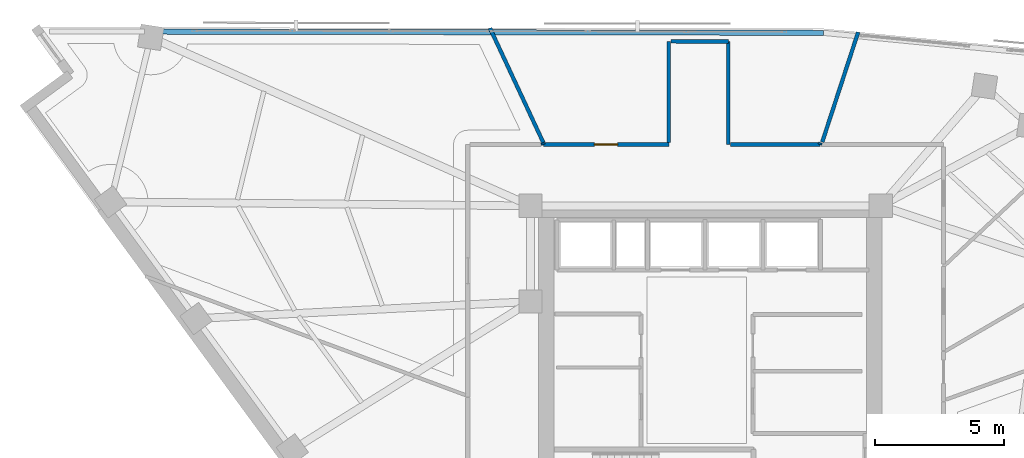
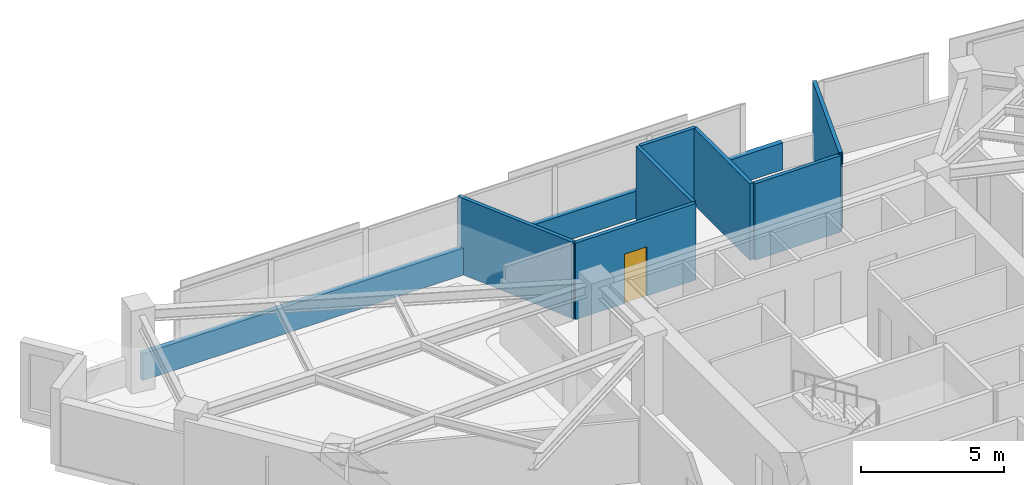
# One storey, part 10 of 14: 10 walls, 1 door, 1 opening.
"""IFC4 building model written with IfcOpenShell, lengths in metres."""

import ifcopenshell
import ifcopenshell.guid

model = None  # the IFC model being written
_history = None  # IfcOwnerHistory: only IFC2X3 demands one
_inside = {}  # id of a spatial element -> (the spatial element, [elements in it])
_under = {}  # id of a project, library or spatial element -> (it, [spatial elements below it])
_declared = {}  # id of a project -> (the project, [libraries it declares])
_typed = {}  # id of a type object -> (the type object, [elements of that type])
_made_of = {}  # id of a material, layer set ... -> (it, [elements and type objects made of it])


def new_model(schema):
    """Start an empty IFC model of exactly this schema.

    Asked for "IFC4X3", IfcOpenShell would pick the latest addendum, in which some entities
    have other attributes; the version numbers below select the first issue.
    IFC2X3 requires an IfcOwnerHistory on every rooted entity: one is made here for all.
    """
    global model, _history
    if schema == "IFC4X3":
        model = ifcopenshell.file(schema_version=(4, 3, 0, 0))
    else:
        model = ifcopenshell.file(schema=schema)
    _inside.clear()
    _under.clear()
    _declared.clear()
    _typed.clear()
    _made_of.clear()
    _history = None
    if model.schema == "IFC2X3":
        org = make("IfcOrganization", Name="unknown")
        user = make(
            "IfcPersonAndOrganization",
            ThePerson=make("IfcPerson", FamilyName="unknown"),
            TheOrganization=org,
        )
        app = make(
            "IfcApplication",
            ApplicationDeveloper=org,
            Version="unknown",
            ApplicationFullName="unknown",
            ApplicationIdentifier="unknown",
        )
        _history = make(
            "IfcOwnerHistory",
            OwningUser=user,
            OwningApplication=app,
            ChangeAction="ADDED",
            CreationDate=0,
        )
    return model


def make(cls, **values):
    """One entity of the class cls with the attributes given. An attribute that is None is left unset."""
    return model.create_entity(
        cls, **{name: value for name, value in values.items() if value is not None}
    )


def rooted(cls, **values):
    """An entity with a GlobalId (a new one), such as an element, a storey or a relation."""
    return make(cls, GlobalId=ifcopenshell.guid.new(), OwnerHistory=_history, **values)


def si_unit(unit_type, name, prefix=None):
    """IfcSIUnit, for example si_unit("LENGTHUNIT", "METRE", prefix="MILLI")."""
    return make("IfcSIUnit", UnitType=unit_type, Prefix=prefix, Name=name)


def assignment(units):
    """IfcUnitAssignment: the units of a project."""
    return None if units is None else make("IfcUnitAssignment", Units=units)


def point(xyz):
    """IfcCartesianPoint."""
    return None if xyz is None else make("IfcCartesianPoint", Coordinates=xyz)


def direction(xyz):
    """IfcDirection."""
    return None if xyz is None else make("IfcDirection", DirectionRatios=xyz)


def frame(location, z_axis=None, x_axis=None):
    """IfcAxis2Placement3D, a coordinate frame: its origin and axes. An axis left out is left unset."""
    return make(
        "IfcAxis2Placement3D",
        Location=point(location),
        Axis=direction(z_axis),
        RefDirection=direction(x_axis),
    )


def frame_2d(location, x_axis=None):
    """IfcAxis2Placement2D, a coordinate frame in the plane: its origin and x axis."""
    return make(
        "IfcAxis2Placement2D", Location=point(location), RefDirection=direction(x_axis)
    )


def origin():
    """The frame at (0, 0, 0) with its axes left unset."""
    return frame((0.0, 0.0, 0.0))


def place(relative_to, where):
    """IfcLocalPlacement: puts the frame where relative to a parent placement (None: the world)."""
    return make(
        "IfcLocalPlacement", PlacementRelTo=relative_to, RelativePlacement=where
    )


def context(
    kind, dimensions, precision=None, world=None, true_north=None, identifier=None
):
    """IfcGeometricRepresentationContext, for example the 3D "Model" context."""
    return make(
        "IfcGeometricRepresentationContext",
        ContextIdentifier=identifier,
        ContextType=kind,
        CoordinateSpaceDimension=dimensions,
        Precision=precision,
        WorldCoordinateSystem=world,
        TrueNorth=true_north,
    )


def subcontext(parent, identifier, kind, view, scale=None):
    """IfcGeometricRepresentationSubContext, for example "Body" below "Model"."""
    return make(
        "IfcGeometricRepresentationSubContext",
        ContextIdentifier=identifier,
        ContextType=kind,
        ParentContext=parent,
        TargetScale=scale,
        TargetView=view,
    )


def project(units=None, contexts=None):
    """IfcProject with its units and contexts."""
    return rooted(
        "IfcProject",
        Name="project",
        RepresentationContexts=contexts,
        UnitsInContext=assignment(units),
    )


def spatial(cls, under=None, at=None, **own):
    """A site, building, storey or space (cls), placed at a placement, below another one or the project."""
    s = rooted(cls, ObjectPlacement=at, **own)
    if under is not None:
        _under.setdefault(under.id(), (under, []))[1].append(s)
    return s


def profile(cls, at=None, kind="AREA", **sizes):
    """A parametric profile (cls). Its sizes go by their IFC names, for example OverallWidth=200.0."""
    return make(cls, ProfileType=kind, Position=at, **sizes)


def rectangle(**sizes):
    """IfcRectangleProfileDef."""
    return profile("IfcRectangleProfileDef", **sizes)


def extrude(swept, where, along, depth):
    """IfcExtrudedAreaSolid: the profile swept, set in the frame where, extruded along a direction by depth."""
    return make(
        "IfcExtrudedAreaSolid",
        SweptArea=swept,
        Position=where,
        ExtrudedDirection=direction(along),
        Depth=depth,
    )


def shape(context_of_items, identifier, shape_type, items):
    """IfcShapeRepresentation: the items that make up one representation, for example the "Body"."""
    return make(
        "IfcShapeRepresentation",
        ContextOfItems=context_of_items,
        RepresentationIdentifier=identifier,
        RepresentationType=shape_type,
        Items=items,
    )


def material(Name=None, Category=None):
    """IfcMaterial."""
    return make("IfcMaterial", Name=Name, Category=Category)


def layer(
    of_material, thickness, ventilated=None, Name=None, Category=None, Priority=None
):
    """IfcMaterialLayer: one layer of a wall or slab, of a material (None: an air gap)."""
    return make(
        "IfcMaterialLayer",
        Material=of_material,
        LayerThickness=thickness,
        IsVentilated=ventilated,
        Name=Name,
        Category=Category,
        Priority=Priority,
    )


def layer_set(layers, Name=None):
    """IfcMaterialLayerSet."""
    return make("IfcMaterialLayerSet", MaterialLayers=layers, LayerSetName=Name)


def made_of(thing, what):
    """Note that an element or type object is made of a material, layer set ...; save() writes the relation."""
    if what is not None:
        _made_of.setdefault(what.id(), (what, []))[1].append(thing)
    return thing


def type_object(cls, material=None, **own):
    """A type object (cls), such as IfcWallType, which elements share."""
    return made_of(rooted(cls, **own), material)


def element(
    cls,
    number,
    at=None,
    inside=None,
    cuts=None,
    type_object=None,
    material=None,
    context=None,
    identifier="Body",
    shape_type=None,
    held_by="IfcProductDefinitionShape",
    body=None,
    shapes=None,
    **own,
):
    """One element of the class cls, such as IfcWall. Its Tag is "e" and its number.

    at: its placement. inside: the storey or other place that contains it. cuts: it is an
    opening in that element (IfcRelVoidsElement). A single representation is given by context,
    identifier, shape_type and body (its items); several are given by shapes. held_by: the class
    of the entity that holds the representations. save() writes the other relations.
    """
    e = rooted(cls, Tag="e%d" % number, ObjectPlacement=at, **own)
    if body is not None:
        shapes = [shape(context, identifier, shape_type, body)]
    if shapes is not None:
        e.Representation = make(held_by, Representations=shapes)
    if inside is not None:
        _inside.setdefault(inside.id(), (inside, []))[1].append(e)
    if cuts is not None:
        rooted(
            "IfcRelVoidsElement", RelatingBuildingElement=cuts, RelatedOpeningElement=e
        )
    if type_object is not None:
        _typed.setdefault(type_object.id(), (type_object, []))[1].append(e)
    return made_of(e, material)


def fill(opening, filler):
    """IfcRelFillsElement: the door or window that sits in an opening."""
    return rooted(
        "IfcRelFillsElement",
        RelatingOpeningElement=opening,
        RelatedBuildingElement=filler,
    )


def aggregate(whole, parts):
    """IfcRelAggregates: a whole, such as a stair, and the parts it consists of."""
    return rooted("IfcRelAggregates", RelatingObject=whole, RelatedObjects=parts)


def save(model, path):
    """Write the relations noted so far, then the file.

    IfcRelAggregates (storeys below a building ...), IfcRelContainedInSpatialStructure (elements
    in a storey), IfcRelDefinesByType, IfcRelAssociatesMaterial and IfcRelDeclares: one each for
    every whole, place, type object, material and project.
    """
    for whole, parts in _under.values():
        aggregate(whole, parts)
    for where, things in _inside.values():
        rooted(
            "IfcRelContainedInSpatialStructure",
            RelatedElements=things,
            RelatingStructure=where,
        )
    for kind, things in _typed.values():
        rooted("IfcRelDefinesByType", RelatedObjects=things, RelatingType=kind)
    for what, things in _made_of.values():
        rooted("IfcRelAssociatesMaterial", RelatedObjects=things, RelatingMaterial=what)
    for by, libraries in _declared.values():
        rooted("IfcRelDeclares", RelatingContext=by, RelatedDefinitions=libraries)
    model.write(path)


model = new_model("IFC4")

# Units and contexts
model_context = context("Model", 3, precision=1e-05, world=origin(), true_north=direction((0.0, 1.0)))
body_context = subcontext(model_context, "Body", "Model", "MODEL_VIEW")
ifc_project = project(units=[si_unit("LENGTHUNIT", "METRE"), si_unit("AREAUNIT", "SQUARE_METRE"), si_unit("VOLUMEUNIT", "CUBIC_METRE"), si_unit("PLANEANGLEUNIT", "RADIAN"), si_unit("MASSUNIT", "GRAM", prefix="KILO")], contexts=[model_context])

# Site, building, storey
site_placement = place(None, origin())
site = spatial("IfcSite", under=ifc_project, at=site_placement, CompositionType="ELEMENT")
building_placement = place(site_placement, origin())
building = spatial("IfcBuilding", under=site, at=building_placement, Name="Narakoshi Arena Tower", CompositionType="ELEMENT")
storey_placement = place(building_placement, frame((0.0, 0.0, 250.179931640625)))
storey = spatial("IfcBuildingStorey", under=building, at=storey_placement, Name="L68", CompositionType="ELEMENT", Elevation=250.179931640625)

# Walls
ifc_material_1 = material(Name="Precast concrete C45/55", Category="concrete")
ifc_layer_1 = layer(ifc_material_1, 0.25)
ifc_layer_set_1 = layer_set([ifc_layer_1], Name="Precast concrete C45/55")
wall_type_1 = type_object("IfcWallType", Name="WL-PARA-250", PredefinedType="PARAPET", material=ifc_layer_set_1)
wall_1_placement = place(storey_placement, frame((83.332275390625, 63.193359375, 0.0), z_axis=(0.0, 0.0, 1.0), x_axis=(-0.999998363757, 0.001809000383, 0.0)))
element("IfcWall", 1, at=wall_1_placement, inside=storey, type_object=wall_type_1, Name="L68 Hypotenuse Sill Upstand Parapet 2-01", PredefinedType="PARAPET", context=body_context, shape_type="SweptSolid", body=[
    extrude(rectangle(XDim=25.777099609375, YDim=0.199951171875, at=frame_2d((12.888671875, 0.0))), origin(), (0.0, 0.0, 1.0), 1.150146484375),
])
ifc_material_2 = material(Name="Moisture-resistant cement-board partition")
ifc_layer_2 = layer(ifc_material_2, 0.14501953125)
ifc_layer_set_2 = layer_set([ifc_layer_2], Name="Moisture-resistant cement-board partition")
wall_type_2 = type_object("IfcWallType", Name="WL-WET-145", PredefinedType="PARTITIONING", material=ifc_layer_set_2)
wall_2_placement = place(storey_placement, frame((83.28515625, 58.970947265625, 0.0), z_axis=(0.0, 0.0, 1.0), x_axis=(0.310770148073, 0.950485094605, 0.0)))
element("IfcWall", 2, at=wall_2_placement, inside=storey, type_object=wall_type_2, Name="L68 Inter-Room Partition 06-07", PredefinedType="PARTITIONING", context=body_context, shape_type="SweptSolid", body=[
    extrude(rectangle(XDim=4.47314453125, YDim=0.14501953125, at=frame_2d((2.236572265625, 0.0))), origin(), (0.0, 0.0, 1.0), 3.260009765625),
])

# Wall, opening, door
wall_3_placement = place(storey_placement, frame((77.35009765625, 58.87646484375, 0.0), z_axis=(0.0, 0.0, 1.0), x_axis=(-1.0, 0.0, 0.0)))
wall_3 = element("IfcWall", 3, at=wall_3_placement, inside=storey, type_object=wall_type_2, Name="L68 Corridor Partition 07-1", PredefinedType="PARTITIONING", context=body_context, shape_type="SweptSolid", body=[
    extrude(rectangle(XDim=4.85498046875, YDim=0.14501953125, at=frame_2d((2.427490234375, 0.0))), origin(), (0.0, 0.0, 1.0), 3.260009765625),
])
opening_placement = place(wall_3_placement, frame((1.9775390625, 0.0, 0.0)))
opening = element("IfcOpeningElement", 4, at=opening_placement, cuts=wall_3, Name="Opening D-08", PredefinedType="OPENING", context=body_context, shape_type="SweptSolid", body=[
    extrude(rectangle(XDim=0.89990234375, YDim=2.10009765625, at=frame_2d((0.449951171875, 1.050048828125))), frame((0.0, 0.08251953125, 0.0), z_axis=(0.0, -1.0, 0.0), x_axis=(1.0, 0.0, 0.0)), (0.0, 0.0, 1.0), 0.1650390625),
])
ifc_material_3 = material(Name="Moisture-resistant laminate timber", Category="wood")
door_type = type_object("IfcDoorType", Name="DR-WC-900", OperationType="NOTDEFINED", PredefinedType="DOOR", material=ifc_material_3)
door_placement = place(opening_placement, frame((0.89990234375, 0.0, 0.0), z_axis=(0.0, 0.0, 1.0), x_axis=(-1.0, 0.0, 0.0)))
door = element("IfcDoor", 5, at=door_placement, inside=storey, type_object=door_type, Name="DR-L68-023", OperationType="SINGLE_SWING_RIGHT", OverallHeight=2.10009765625, OverallWidth=0.89990234375, PredefinedType="DOOR", context=body_context, shape_type="SweptSolid", body=[
    extrude(rectangle(XDim=0.89990234375, YDim=2.10009765625, at=frame_2d((0.449951171875, 1.050048828125))), frame((0.0, 0.02490234375, 0.0), z_axis=(0.0, -1.0, 0.0), x_axis=(1.0, 0.0, 0.0)), (0.0, 0.0, 1.0), 0.050048828125),
])
fill(opening, door)

# Walls
wall_4_placement = place(storey_placement, frame((77.35009765625, 62.8642578125, 0.0), z_axis=(0.0, 0.0, 1.0), x_axis=(0.0, -1.0, 0.0)))
element("IfcWall", 6, at=wall_4_placement, inside=storey, type_object=wall_type_2, Name="L68 Corridor Partition 07-2", PredefinedType="PARTITIONING", context=body_context, shape_type="SweptSolid", body=[
    extrude(rectangle(XDim=3.9033203125, YDim=0.14501953125, at=frame_2d((1.95166015625, 0.0))), origin(), (0.0, 0.0, 1.0), 3.260009765625),
])
wall_5_placement = place(storey_placement, frame((79.64990234375, 58.87646484375, 0.0), z_axis=(0.0, 0.0, 1.0), x_axis=(0.0, 1.0, 0.0)))
element("IfcWall", 7, at=wall_5_placement, inside=storey, type_object=wall_type_2, Name="L68 Corridor Partition 07-3", PredefinedType="PARTITIONING", context=body_context, shape_type="SweptSolid", body=[
    extrude(rectangle(XDim=3.983642578125, YDim=0.14501953125, at=frame_2d((1.99169921875, 0.0))), origin(), (0.0, 0.0, 1.0), 3.260009765625),
])
wall_6_placement = place(storey_placement, frame((83.19091796875, 58.87646484375, 0.0), z_axis=(0.0, 0.0, 1.0), x_axis=(-1.0, 0.0, 0.0)))
element("IfcWall", 8, at=wall_6_placement, inside=storey, type_object=wall_type_2, Name="L68 Corridor Partition 07-4", PredefinedType="PARTITIONING", context=body_context, shape_type="SweptSolid", body=[
    extrude(rectangle(XDim=3.456298828125, YDim=0.14501953125, at=frame_2d((1.72802734375, 0.0))), origin(), (0.0, 0.0, 1.0), 3.260009765625),
])
wall_7_placement = place(storey_placement, frame((79.64990234375, 62.860107421875, 0.0), z_axis=(0.0, 0.0, 1.0), x_axis=(-0.999998445426, 0.001763276959, 0.0)))
element("IfcWall", 9, at=wall_7_placement, inside=storey, type_object=wall_type_2, Name="L68 Corridor Partition 07-5", PredefinedType="PARTITIONING", context=body_context, shape_type="SweptSolid", body=[
    extrude(rectangle(XDim=2.21533203125, YDim=0.14501953125, at=frame_2d((1.107666015625, 0.0))), origin(), (0.0, 0.0, 1.0), 3.260009765625),
])
wall_8_placement = place(storey_placement, frame((72.4951171875, 58.87646484375, 0.0), z_axis=(0.0, 0.0, 1.0), x_axis=(-0.433926181424, 0.900948427533, 0.0)))
element("IfcWall", 10, at=wall_8_placement, inside=storey, type_object=wall_type_2, Name="L68 Corridor Partition 07-6", PredefinedType="PARTITIONING", context=body_context, shape_type="SweptSolid", body=[
    extrude(rectangle(XDim=0.06640625, YDim=0.14501953125, at=frame_2d((0.033203125, 0.0))), origin(), (0.0, 0.0, 1.0), 3.260009765625),
])
wall_9_placement = place(storey_placement, frame((83.2109375, 58.936279296875, 0.0), z_axis=(0.0, 0.0, 1.0), x_axis=(-0.317388707336, -0.948295528016, 0.0)))
element("IfcWall", 11, at=wall_9_placement, inside=storey, type_object=wall_type_2, Name="L68 Corridor Partition 07-7", PredefinedType="PARTITIONING", context=body_context, shape_type="SweptSolid", body=[
    extrude(rectangle(XDim=0.06298828125, YDim=0.14501953125, at=frame_2d((0.031494140625, 0.0))), origin(), (0.0, 0.0, 1.0), 3.260009765625),
])
wall_10_placement = place(storey_placement, frame((72.494140625, 58.94970703125, 0.0), z_axis=(0.0, 0.0, 1.0), x_axis=(-0.42234902314, 0.906433286377, 0.0)))
element("IfcWall", 12, at=wall_10_placement, inside=storey, type_object=wall_type_2, Name="L68 Inter-Room Partition 07-08", PredefinedType="PARTITIONING", context=body_context, shape_type="SweptSolid", body=[
    extrude(rectangle(XDim=4.884033203125, YDim=0.14501953125, at=frame_2d((2.44189453125, 0.0))), origin(), (0.0, 0.0, 1.0), 3.260009765625),
])

save(model, "model.ifc")
